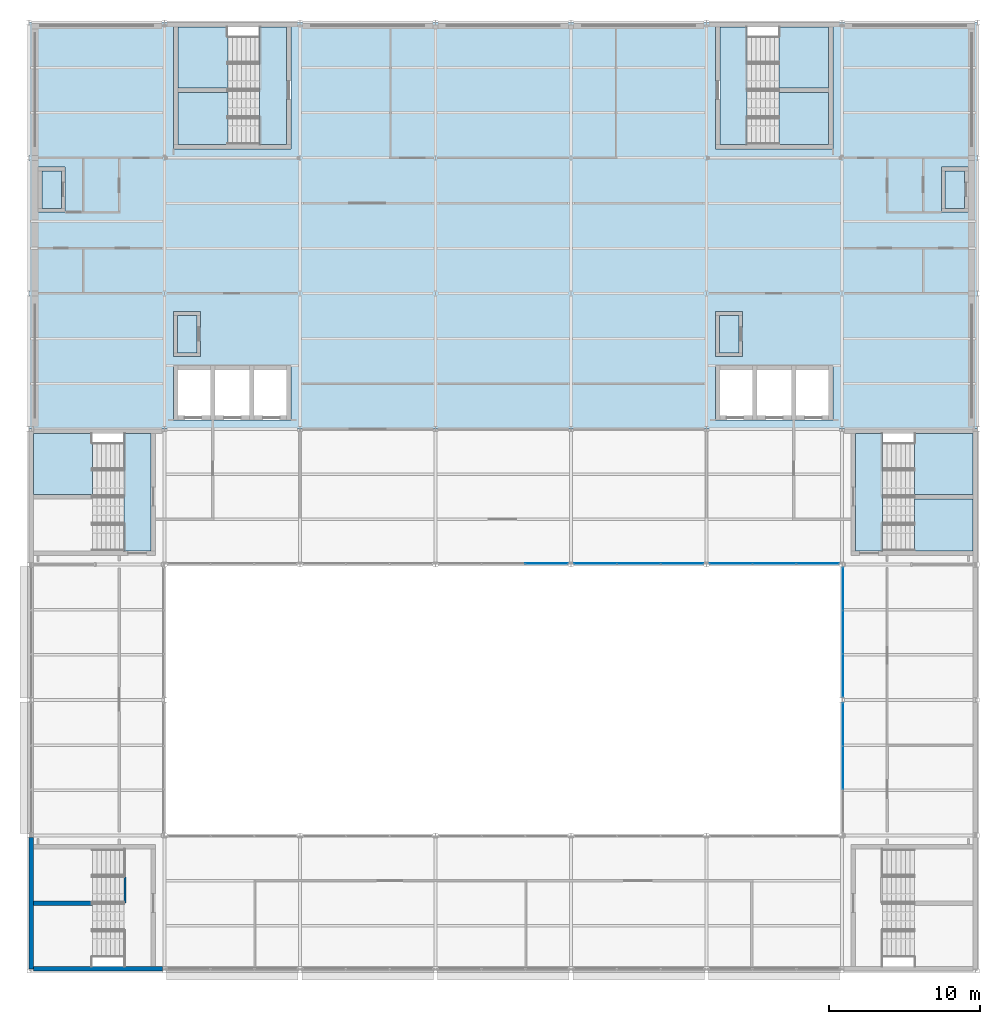
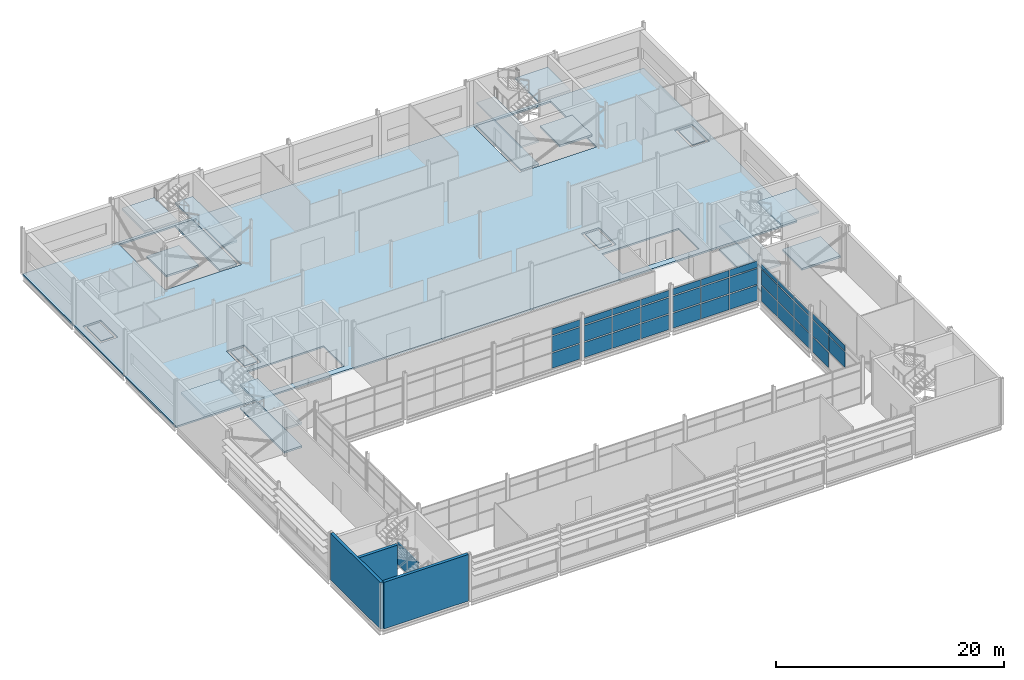
# One storey, part 47 of 61: 35 plates, 20 slabs, 4 walls, 9 elements without a shape of their own.
"""IFC4 building model written with IfcOpenShell, lengths in metres."""

from ifc_helpers import new_model, si_unit, direction, frame, frame_2d, origin, origin_2d, place, context, subcontext, project, spatial, polyline, rectangle, outline, extrude, material, layer, layer_set, type_object, element, aggregate, save


model = new_model("IFC4")

# Units and contexts
model_context = context("Model", 3, precision=1e-05, world=origin(), true_north=direction((0.0, 1.0)))
body_context = subcontext(model_context, "Body", "Model", "MODEL_VIEW")
ifc_project = project(units=[si_unit("LENGTHUNIT", "METRE"), si_unit("AREAUNIT", "SQUARE_METRE"), si_unit("VOLUMEUNIT", "CUBIC_METRE"), si_unit("PLANEANGLEUNIT", "RADIAN"), si_unit("MASSUNIT", "GRAM", prefix="KILO")], contexts=[model_context])

# Site, building, storey
site_placement = place(None, origin())
site = spatial("IfcSite", under=ifc_project, at=site_placement, CompositionType="ELEMENT")
building_placement = place(site_placement, origin())
building = spatial("IfcBuilding", under=site, at=building_placement, Name="Shorebreak Coast Museum", CompositionType="ELEMENT")
storey_placement = place(building_placement, frame((0.0, 0.0, 26.0)))
storey = spatial("IfcBuildingStorey", under=building, at=storey_placement, Name="L04", CompositionType="ELEMENT", Elevation=26.0)

# Curtain wall, plates
ifc_material_1 = material(Name="Aluminium", Category="aluminium")
ifc_layer_1 = layer(ifc_material_1, 0.1201171875)
ifc_layer_set_1 = layer_set([ifc_layer_1], Name="Aluminium")
curtain_wall_type = type_object("IfcCurtainWallType", Name="Atrium fire screen", PredefinedType="NOTDEFINED", material=ifc_layer_set_1)
curtain_wall_1_placement = place(storey_placement, origin())
curtain_wall_1 = element("IfcCurtainWall", 1, at=curtain_wall_1_placement, inside=storey, type_object=curtain_wall_type, Name="Atrium screen L04 N 56", PredefinedType="NOTDEFINED")
ifc_material_2 = material(Name="Glass", Category="glass")
ifc_layer_2 = layer(ifc_material_2, 0.034912109375)
ifc_layer_set_2 = layer_set([ifc_layer_2], Name="Glass")
plate_type = type_object("IfcPlateType", Name="Fire-resisting glass panel 35", PredefinedType="CURTAIN_PANEL", material=ifc_layer_set_2)
plate_1_placement = place(storey_placement, frame((88.38525390625, 81.06005859375, 0.119873046875), z_axis=(0.0, 0.0, 1.0), x_axis=(1.0, 0.0, 0.0)))
plate_1 = element("IfcPlate", 2, at=plate_1_placement, type_object=plate_type, Name="CW6 panel 3.1", PredefinedType="CURTAIN_PANEL", context=body_context, shape_type="SweptSolid", body=[
    extrude(rectangle(XDim=2.82275390625, YDim=0.034912109375, at=origin_2d()), origin(), (0.0, 0.0, 1.0), 1.6201171875),
])
plate_2_placement = place(storey_placement, frame((88.38525390625, 81.06005859375, 1.85986328125), z_axis=(0.0, 0.0, 1.0), x_axis=(1.0, 0.0, 0.0)))
plate_2 = element("IfcPlate", 3, at=plate_2_placement, type_object=plate_type, Name="CW6 panel 3.2", PredefinedType="CURTAIN_PANEL", context=body_context, shape_type="SweptSolid", body=[
    extrude(rectangle(XDim=2.82275390625, YDim=0.034912109375, at=origin_2d()), origin(), (0.0, 0.0, 1.0), 1.679931640625),
])
plate_3_placement = place(storey_placement, frame((88.38525390625, 81.06005859375, 3.659912109375), z_axis=(0.0, 0.0, 1.0), x_axis=(1.0, 0.0, 0.0)))
plate_3 = element("IfcPlate", 4, at=plate_3_placement, type_object=plate_type, Name="CW6 panel 3.3", PredefinedType="CURTAIN_PANEL", context=body_context, shape_type="SweptSolid", body=[
    extrude(rectangle(XDim=2.82275390625, YDim=0.034912109375, at=origin_2d()), origin(), (0.0, 0.0, 1.0), 0.689453125),
])
aggregate(curtain_wall_1, [plate_1, plate_2, plate_3])

curtain_wall_2_placement = place(storey_placement, origin())
curtain_wall_2 = element("IfcCurtainWall", 5, at=curtain_wall_2_placement, inside=storey, type_object=curtain_wall_type, Name="Atrium screen L04 N 57", PredefinedType="NOTDEFINED")
plate_4_placement = place(storey_placement, frame((91.61474609375, 81.06005859375, 0.119873046875), z_axis=(0.0, 0.0, 1.0), x_axis=(1.0, 0.0, 0.0)))
plate_4 = element("IfcPlate", 6, at=plate_4_placement, type_object=plate_type, Name="CW4 panel 1.1", PredefinedType="CURTAIN_PANEL", context=body_context, shape_type="SweptSolid", body=[
    extrude(rectangle(XDim=2.82275390625, YDim=0.034912109375, at=origin_2d()), origin(), (0.0, 0.0, 1.0), 1.6201171875),
])
plate_5_placement = place(storey_placement, frame((91.61474609375, 81.06005859375, 1.85986328125), z_axis=(0.0, 0.0, 1.0), x_axis=(1.0, 0.0, 0.0)))
plate_5 = element("IfcPlate", 7, at=plate_5_placement, type_object=plate_type, Name="CW4 panel 1.2", PredefinedType="CURTAIN_PANEL", context=body_context, shape_type="SweptSolid", body=[
    extrude(rectangle(XDim=2.82275390625, YDim=0.034912109375, at=origin_2d()), origin(), (0.0, 0.0, 1.0), 1.679931640625),
])
plate_6_placement = place(storey_placement, frame((91.61474609375, 81.06005859375, 3.659912109375), z_axis=(0.0, 0.0, 1.0), x_axis=(1.0, 0.0, 0.0)))
plate_6 = element("IfcPlate", 8, at=plate_6_placement, type_object=plate_type, Name="CW4 panel 1.3", PredefinedType="CURTAIN_PANEL", context=body_context, shape_type="SweptSolid", body=[
    extrude(rectangle(XDim=2.82275390625, YDim=0.034912109375, at=origin_2d()), origin(), (0.0, 0.0, 1.0), 0.689453125),
])
plate_7_placement = place(storey_placement, frame((94.5, 81.06005859375, 0.119873046875), z_axis=(0.0, 0.0, 1.0), x_axis=(1.0, 0.0, 0.0)))
plate_7 = element("IfcPlate", 9, at=plate_7_placement, type_object=plate_type, Name="CW4 panel 2.1", PredefinedType="CURTAIN_PANEL", context=body_context, shape_type="SweptSolid", body=[
    extrude(rectangle(XDim=2.84765625, YDim=0.034912109375, at=origin_2d()), origin(), (0.0, 0.0, 1.0), 1.6201171875),
])
plate_8_placement = place(storey_placement, frame((94.5, 81.06005859375, 1.85986328125), z_axis=(0.0, 0.0, 1.0), x_axis=(1.0, 0.0, 0.0)))
plate_8 = element("IfcPlate", 10, at=plate_8_placement, type_object=plate_type, Name="CW4 panel 2.2", PredefinedType="CURTAIN_PANEL", context=body_context, shape_type="SweptSolid", body=[
    extrude(rectangle(XDim=2.84765625, YDim=0.034912109375, at=origin_2d()), origin(), (0.0, 0.0, 1.0), 1.679931640625),
])
plate_9_placement = place(storey_placement, frame((94.5, 81.06005859375, 3.659912109375), z_axis=(0.0, 0.0, 1.0), x_axis=(1.0, 0.0, 0.0)))
plate_9 = element("IfcPlate", 11, at=plate_9_placement, type_object=plate_type, Name="CW4 panel 2.3", PredefinedType="CURTAIN_PANEL", context=body_context, shape_type="SweptSolid", body=[
    extrude(rectangle(XDim=2.84765625, YDim=0.034912109375, at=origin_2d()), origin(), (0.0, 0.0, 1.0), 0.689453125),
])
plate_10_placement = place(storey_placement, frame((97.38525390625, 81.06005859375, 0.119873046875), z_axis=(0.0, 0.0, 1.0), x_axis=(1.0, 0.0, 0.0)))
plate_10 = element("IfcPlate", 12, at=plate_10_placement, type_object=plate_type, Name="CW4 panel 3.1", PredefinedType="CURTAIN_PANEL", context=body_context, shape_type="SweptSolid", body=[
    extrude(rectangle(XDim=2.82275390625, YDim=0.034912109375, at=origin_2d()), origin(), (0.0, 0.0, 1.0), 1.6201171875),
])
plate_11_placement = place(storey_placement, frame((97.38525390625, 81.06005859375, 1.85986328125), z_axis=(0.0, 0.0, 1.0), x_axis=(1.0, 0.0, 0.0)))
plate_11 = element("IfcPlate", 13, at=plate_11_placement, type_object=plate_type, Name="CW4 panel 3.2", PredefinedType="CURTAIN_PANEL", context=body_context, shape_type="SweptSolid", body=[
    extrude(rectangle(XDim=2.82275390625, YDim=0.034912109375, at=origin_2d()), origin(), (0.0, 0.0, 1.0), 1.679931640625),
])
plate_12_placement = place(storey_placement, frame((97.38525390625, 81.06005859375, 3.659912109375), z_axis=(0.0, 0.0, 1.0), x_axis=(1.0, 0.0, 0.0)))
plate_12 = element("IfcPlate", 14, at=plate_12_placement, type_object=plate_type, Name="CW4 panel 3.3", PredefinedType="CURTAIN_PANEL", context=body_context, shape_type="SweptSolid", body=[
    extrude(rectangle(XDim=2.82275390625, YDim=0.034912109375, at=origin_2d()), origin(), (0.0, 0.0, 1.0), 0.689453125),
])
aggregate(curtain_wall_2, [plate_4, plate_5, plate_6, plate_7, plate_8, plate_9, plate_10, plate_11, plate_12])

curtain_wall_3_placement = place(storey_placement, origin())
curtain_wall_3 = element("IfcCurtainWall", 15, at=curtain_wall_3_placement, inside=storey, type_object=curtain_wall_type, Name="Atrium screen L04 N 58", PredefinedType="NOTDEFINED")
plate_13_placement = place(storey_placement, frame((100.61474609375, 81.06005859375, 0.119873046875), z_axis=(0.0, 0.0, 1.0), x_axis=(1.0, 0.0, 0.0)))
plate_13 = element("IfcPlate", 16, at=plate_13_placement, type_object=plate_type, Name="CW5 panel 1.1", PredefinedType="CURTAIN_PANEL", context=body_context, shape_type="SweptSolid", body=[
    extrude(rectangle(XDim=2.82275390625, YDim=0.034912109375, at=origin_2d()), origin(), (0.0, 0.0, 1.0), 1.6201171875),
])
plate_14_placement = place(storey_placement, frame((100.61474609375, 81.06005859375, 1.85986328125), z_axis=(0.0, 0.0, 1.0), x_axis=(1.0, 0.0, 0.0)))
plate_14 = element("IfcPlate", 17, at=plate_14_placement, type_object=plate_type, Name="CW5 panel 1.2", PredefinedType="CURTAIN_PANEL", context=body_context, shape_type="SweptSolid", body=[
    extrude(rectangle(XDim=2.82275390625, YDim=0.034912109375, at=origin_2d()), origin(), (0.0, 0.0, 1.0), 1.679931640625),
])
plate_15_placement = place(storey_placement, frame((100.61474609375, 81.06005859375, 3.659912109375), z_axis=(0.0, 0.0, 1.0), x_axis=(1.0, 0.0, 0.0)))
plate_15 = element("IfcPlate", 18, at=plate_15_placement, type_object=plate_type, Name="CW5 panel 1.3", PredefinedType="CURTAIN_PANEL", context=body_context, shape_type="SweptSolid", body=[
    extrude(rectangle(XDim=2.82275390625, YDim=0.034912109375, at=origin_2d()), origin(), (0.0, 0.0, 1.0), 0.689453125),
])
plate_16_placement = place(storey_placement, frame((103.5, 81.06005859375, 0.119873046875), z_axis=(0.0, 0.0, 1.0), x_axis=(1.0, 0.0, 0.0)))
plate_16 = element("IfcPlate", 19, at=plate_16_placement, type_object=plate_type, Name="CW5 panel 2.1", PredefinedType="CURTAIN_PANEL", context=body_context, shape_type="SweptSolid", body=[
    extrude(rectangle(XDim=2.84765625, YDim=0.034912109375, at=origin_2d()), origin(), (0.0, 0.0, 1.0), 1.6201171875),
])
plate_17_placement = place(storey_placement, frame((103.5, 81.06005859375, 1.85986328125), z_axis=(0.0, 0.0, 1.0), x_axis=(1.0, 0.0, 0.0)))
plate_17 = element("IfcPlate", 20, at=plate_17_placement, type_object=plate_type, Name="CW5 panel 2.2", PredefinedType="CURTAIN_PANEL", context=body_context, shape_type="SweptSolid", body=[
    extrude(rectangle(XDim=2.84765625, YDim=0.034912109375, at=origin_2d()), origin(), (0.0, 0.0, 1.0), 1.679931640625),
])
plate_18_placement = place(storey_placement, frame((103.5, 81.06005859375, 3.659912109375), z_axis=(0.0, 0.0, 1.0), x_axis=(1.0, 0.0, 0.0)))
plate_18 = element("IfcPlate", 21, at=plate_18_placement, type_object=plate_type, Name="CW5 panel 2.3", PredefinedType="CURTAIN_PANEL", context=body_context, shape_type="SweptSolid", body=[
    extrude(rectangle(XDim=2.84765625, YDim=0.034912109375, at=origin_2d()), origin(), (0.0, 0.0, 1.0), 0.689453125),
])
plate_19_placement = place(storey_placement, frame((106.38525390625, 81.06005859375, 0.119873046875), z_axis=(0.0, 0.0, 1.0), x_axis=(1.0, 0.0, 0.0)))
plate_19 = element("IfcPlate", 22, at=plate_19_placement, type_object=plate_type, Name="CW5 panel 3.1", PredefinedType="CURTAIN_PANEL", context=body_context, shape_type="SweptSolid", body=[
    extrude(rectangle(XDim=2.82275390625, YDim=0.034912109375, at=origin_2d()), origin(), (0.0, 0.0, 1.0), 1.6201171875),
])
plate_20_placement = place(storey_placement, frame((106.38525390625, 81.06005859375, 1.85986328125), z_axis=(0.0, 0.0, 1.0), x_axis=(1.0, 0.0, 0.0)))
plate_20 = element("IfcPlate", 23, at=plate_20_placement, type_object=plate_type, Name="CW5 panel 3.2", PredefinedType="CURTAIN_PANEL", context=body_context, shape_type="SweptSolid", body=[
    extrude(rectangle(XDim=2.82275390625, YDim=0.034912109375, at=origin_2d()), origin(), (0.0, 0.0, 1.0), 1.679931640625),
])
plate_21_placement = place(storey_placement, frame((106.38525390625, 81.06005859375, 3.659912109375), z_axis=(0.0, 0.0, 1.0), x_axis=(1.0, 0.0, 0.0)))
plate_21 = element("IfcPlate", 24, at=plate_21_placement, type_object=plate_type, Name="CW5 panel 3.3", PredefinedType="CURTAIN_PANEL", context=body_context, shape_type="SweptSolid", body=[
    extrude(rectangle(XDim=2.82275390625, YDim=0.034912109375, at=origin_2d()), origin(), (0.0, 0.0, 1.0), 0.689453125),
])
aggregate(curtain_wall_3, [plate_13, plate_14, plate_15, plate_16, plate_17, plate_18, plate_19, plate_20, plate_21])

curtain_wall_4_placement = place(storey_placement, origin())
curtain_wall_4 = element("IfcCurtainWall", 25, at=curtain_wall_4_placement, inside=storey, type_object=curtain_wall_type, Name="Atrium screen L04 E 61", PredefinedType="NOTDEFINED")
plate_22_placement = place(storey_placement, frame((108.06005859375, 67.5, 1.85986328125), z_axis=(0.0, 0.0, 1.0), x_axis=(0.0, 1.0, 0.0)))
plate_22 = element("IfcPlate", 26, at=plate_22_placement, type_object=plate_type, Name="CW5 panel 2.2", PredefinedType="CURTAIN_PANEL", context=body_context, shape_type="SweptSolid", body=[
    extrude(rectangle(XDim=2.84521484375, YDim=0.034912109375, at=origin_2d()), origin(), (0.0, 0.0, 1.0), 1.679931640625),
])
plate_23_placement = place(storey_placement, frame((108.06005859375, 67.5, 3.66015625), z_axis=(0.0, 0.0, 1.0), x_axis=(0.0, 1.0, 0.0)))
plate_23 = element("IfcPlate", 27, at=plate_23_placement, type_object=plate_type, Name="CW5 panel 2.3", PredefinedType="CURTAIN_PANEL", context=body_context, shape_type="SweptSolid", body=[
    extrude(rectangle(XDim=2.84521484375, YDim=0.034912109375, at=origin_2d()), origin(), (0.0, 0.0, 1.0), 0.584716796875),
])
plate_24_placement = place(storey_placement, frame((108.06005859375, 70.382568359375, 0.119873046875), z_axis=(0.0, 0.0, 1.0), x_axis=(0.0, 1.0, 0.0)))
plate_24 = element("IfcPlate", 28, at=plate_24_placement, type_object=plate_type, Name="CW5 panel 3.1", PredefinedType="CURTAIN_PANEL", context=body_context, shape_type="SweptSolid", body=[
    extrude(rectangle(XDim=2.820068359375, YDim=0.034912109375, at=origin_2d()), origin(), (0.0, 0.0, 1.0), 1.6201171875),
])
plate_25_placement = place(storey_placement, frame((108.06005859375, 70.382568359375, 1.85986328125), z_axis=(0.0, 0.0, 1.0), x_axis=(0.0, 1.0, 0.0)))
plate_25 = element("IfcPlate", 29, at=plate_25_placement, type_object=plate_type, Name="CW5 panel 3.2", PredefinedType="CURTAIN_PANEL", context=body_context, shape_type="SweptSolid", body=[
    extrude(rectangle(XDim=2.820068359375, YDim=0.034912109375, at=origin_2d()), origin(), (0.0, 0.0, 1.0), 1.679931640625),
])
plate_26_placement = place(storey_placement, frame((108.06005859375, 70.382568359375, 3.66015625), z_axis=(0.0, 0.0, 1.0), x_axis=(0.0, 1.0, 0.0)))
plate_26 = element("IfcPlate", 30, at=plate_26_placement, type_object=plate_type, Name="CW5 panel 3.3", PredefinedType="CURTAIN_PANEL", context=body_context, shape_type="SweptSolid", body=[
    extrude(rectangle(XDim=2.820068359375, YDim=0.034912109375, at=origin_2d()), origin(), (0.0, 0.0, 1.0), 0.584716796875),
])
aggregate(curtain_wall_4, [plate_22, plate_23, plate_24, plate_25, plate_26])

curtain_wall_5_placement = place(storey_placement, origin())
curtain_wall_5 = element("IfcCurtainWall", 31, at=curtain_wall_5_placement, inside=storey, type_object=curtain_wall_type, Name="Atrium screen L04 E 62", PredefinedType="NOTDEFINED")
plate_27_placement = place(storey_placement, frame((108.06005859375, 73.617431640625, 0.119873046875), z_axis=(0.0, 0.0, 1.0), x_axis=(0.0, 1.0, 0.0)))
plate_27 = element("IfcPlate", 32, at=plate_27_placement, type_object=plate_type, Name="CW6 panel 1.1", PredefinedType="CURTAIN_PANEL", context=body_context, shape_type="SweptSolid", body=[
    extrude(rectangle(XDim=2.820068359375, YDim=0.034912109375, at=origin_2d()), origin(), (0.0, 0.0, 1.0), 1.6201171875),
])
plate_28_placement = place(storey_placement, frame((108.06005859375, 73.617431640625, 1.85986328125), z_axis=(0.0, 0.0, 1.0), x_axis=(0.0, 1.0, 0.0)))
plate_28 = element("IfcPlate", 33, at=plate_28_placement, type_object=plate_type, Name="CW6 panel 1.2", PredefinedType="CURTAIN_PANEL", context=body_context, shape_type="SweptSolid", body=[
    extrude(rectangle(XDim=2.820068359375, YDim=0.034912109375, at=origin_2d()), origin(), (0.0, 0.0, 1.0), 1.679931640625),
])
plate_29_placement = place(storey_placement, frame((108.06005859375, 73.617431640625, 3.659912109375), z_axis=(0.0, 0.0, 1.0), x_axis=(0.0, 1.0, 0.0)))
plate_29 = element("IfcPlate", 34, at=plate_29_placement, type_object=plate_type, Name="CW6 panel 1.3", PredefinedType="CURTAIN_PANEL", context=body_context, shape_type="SweptSolid", body=[
    extrude(rectangle(XDim=2.820068359375, YDim=0.034912109375, at=origin_2d()), origin(), (0.0, 0.0, 1.0), 0.43310546875),
])
plate_30_placement = place(storey_placement, frame((108.06005859375, 76.5, 0.119873046875), z_axis=(0.0, 0.0, 1.0), x_axis=(0.0, 1.0, 0.0)))
plate_30 = element("IfcPlate", 35, at=plate_30_placement, type_object=plate_type, Name="CW6 panel 2.1", PredefinedType="CURTAIN_PANEL", context=body_context, shape_type="SweptSolid", body=[
    extrude(rectangle(XDim=2.84521484375, YDim=0.034912109375, at=origin_2d()), origin(), (0.0, 0.0, 1.0), 1.6201171875),
])
plate_31_placement = place(storey_placement, frame((108.06005859375, 76.5, 1.85986328125), z_axis=(0.0, 0.0, 1.0), x_axis=(0.0, 1.0, 0.0)))
plate_31 = element("IfcPlate", 36, at=plate_31_placement, type_object=plate_type, Name="CW6 panel 2.2", PredefinedType="CURTAIN_PANEL", context=body_context, shape_type="SweptSolid", body=[
    extrude(rectangle(XDim=2.84521484375, YDim=0.034912109375, at=origin_2d()), origin(), (0.0, 0.0, 1.0), 1.679931640625),
])
plate_32_placement = place(storey_placement, frame((108.06005859375, 76.5, 3.659912109375), z_axis=(0.0, 0.0, 1.0), x_axis=(0.0, 1.0, 0.0)))
plate_32 = element("IfcPlate", 37, at=plate_32_placement, type_object=plate_type, Name="CW6 panel 2.3", PredefinedType="CURTAIN_PANEL", context=body_context, shape_type="SweptSolid", body=[
    extrude(rectangle(XDim=2.84521484375, YDim=0.034912109375, at=origin_2d()), origin(), (0.0, 0.0, 1.0), 0.43310546875),
])
plate_33_placement = place(storey_placement, frame((108.06005859375, 79.382568359375, 0.119873046875), z_axis=(0.0, 0.0, 1.0), x_axis=(0.0, 1.0, 0.0)))
plate_33 = element("IfcPlate", 38, at=plate_33_placement, type_object=plate_type, Name="CW6 panel 3.1", PredefinedType="CURTAIN_PANEL", context=body_context, shape_type="SweptSolid", body=[
    extrude(rectangle(XDim=2.820068359375, YDim=0.034912109375, at=origin_2d()), origin(), (0.0, 0.0, 1.0), 1.6201171875),
])
plate_34_placement = place(storey_placement, frame((108.06005859375, 79.382568359375, 1.85986328125), z_axis=(0.0, 0.0, 1.0), x_axis=(0.0, 1.0, 0.0)))
plate_34 = element("IfcPlate", 39, at=plate_34_placement, type_object=plate_type, Name="CW6 panel 3.2", PredefinedType="CURTAIN_PANEL", context=body_context, shape_type="SweptSolid", body=[
    extrude(rectangle(XDim=2.820068359375, YDim=0.034912109375, at=origin_2d()), origin(), (0.0, 0.0, 1.0), 1.679931640625),
])
plate_35_placement = place(storey_placement, frame((108.06005859375, 79.382568359375, 3.659912109375), z_axis=(0.0, 0.0, 1.0), x_axis=(0.0, 1.0, 0.0)))
plate_35 = element("IfcPlate", 40, at=plate_35_placement, type_object=plate_type, Name="CW6 panel 3.3", PredefinedType="CURTAIN_PANEL", context=body_context, shape_type="SweptSolid", body=[
    extrude(rectangle(XDim=2.820068359375, YDim=0.034912109375, at=origin_2d()), origin(), (0.0, 0.0, 1.0), 0.43310546875),
])
aggregate(curtain_wall_5, [plate_27, plate_28, plate_29, plate_30, plate_31, plate_32, plate_33, plate_34, plate_35])

# Slabs
ifc_material_3 = material(Name="Concrete N40 (40 MPa)", Category="concrete")
ifc_layer_3 = layer(ifc_material_3, 0.175048828125)
ifc_layer_set_3 = layer_set([ifc_layer_3], Name="Concrete N40 (40 MPa)")
slab_type_1 = type_object("IfcSlabType", Name="Floor slab 175 concrete N40", PredefinedType="FLOOR", material=ifc_layer_set_3)
slab_1_placement = place(storey_placement, frame((0.0, 0.0, -0.175048828125)))
element("IfcSlab", 41, at=slab_1_placement, inside=storey, type_object=slab_type_1, Name="Floor slab L04 north arm", PredefinedType="FLOOR", context=body_context, shape_type="SweptSolid", body=[
    extrude(outline(polyline([(117.0, 90.0), (117.0, 117.0), (54.0, 117.0), (54.0, 90.0), (117.0, 90.0)]), holes=[polyline([(107.39990234375, 90.60009765625), (99.60009765625, 90.60009765625), (99.60009765625, 94.199951171875), (107.39990234375, 94.199951171875), (107.39990234375, 90.60009765625)]), polyline([(63.60009765625, 90.60009765625), (63.60009765625, 94.199951171875), (71.39990234375, 94.199951171875), (71.39990234375, 90.60009765625), (63.60009765625, 90.60009765625)]), polyline([(99.60009765625, 97.800048828125), (101.39990234375, 97.800048828125), (101.39990234375, 94.800048828125), (99.60009765625, 94.800048828125), (99.60009765625, 97.800048828125)]), polyline([(65.39990234375, 97.800048828125), (65.39990234375, 94.800048828125), (63.60009765625, 94.800048828125), (63.60009765625, 97.800048828125), (65.39990234375, 97.800048828125)]), polyline([(56.39990234375, 104.39990234375), (54.60009765625, 104.39990234375), (54.60009765625, 107.39990234375), (56.39990234375, 107.39990234375), (56.39990234375, 104.39990234375)]), polyline([(114.60009765625, 104.39990234375), (114.60009765625, 107.39990234375), (116.39990234375, 107.39990234375), (116.39990234375, 104.39990234375), (114.60009765625, 104.39990234375)]), polyline([(63.60009765625, 116.699951171875), (71.39990234375, 116.699951171875), (71.39990234375, 108.60009765625), (63.60009765625, 108.60009765625), (63.60009765625, 116.699951171875)]), polyline([(107.39990234375, 116.699951171875), (107.39990234375, 108.60009765625), (99.60009765625, 108.60009765625), (99.60009765625, 116.699951171875), (107.39990234375, 116.699951171875)])]), origin(), (0.0, 0.0, 1.0), 0.175048828125),
])
ifc_material_4 = material(Name="Concrete N40 (40 MPa)", Category="concrete")
ifc_layer_4 = layer(ifc_material_4, 0.10009765625)
ifc_layer_set_4 = layer_set([ifc_layer_4], Name="Concrete N40 (40 MPa)")
slab_type_2 = type_object("IfcSlabType", Name="Riser platform 100", PredefinedType="USERDEFINED", material=ifc_layer_set_4)
slab_2_placement = place(storey_placement, frame((0.0, 0.0, -0.10009765625)))
element("IfcSlab", 42, at=slab_2_placement, inside=storey, type_object=slab_type_2, Name="Riser platform R-WC-N1 L04", ObjectType="RISER PLATFORM", PredefinedType="USERDEFINED", context=body_context, shape_type="SweptSolid", body=[
    extrude(outline(polyline([(54.85009765625, 104.64990234375), (56.14990234375, 104.64990234375), (56.14990234375, 107.14990234375), (54.85009765625, 107.14990234375), (54.85009765625, 104.64990234375)])), origin(), (0.0, 0.0, 1.0), 0.10009765625),
])
slab_3_placement = place(storey_placement, frame((0.0, 0.0, -0.10009765625)))
element("IfcSlab", 43, at=slab_3_placement, inside=storey, type_object=slab_type_2, Name="Riser platform R-WC-N2 L04", ObjectType="RISER PLATFORM", PredefinedType="USERDEFINED", context=body_context, shape_type="SweptSolid", body=[
    extrude(outline(polyline([(114.85009765625, 104.64990234375), (116.14990234375, 104.64990234375), (116.14990234375, 107.14990234375), (114.85009765625, 107.14990234375), (114.85009765625, 104.64990234375)])), origin(), (0.0, 0.0, 1.0), 0.10009765625),
])
slab_4_placement = place(storey_placement, frame((0.0, 0.0, -0.10009765625)))
element("IfcSlab", 44, at=slab_4_placement, inside=storey, type_object=slab_type_2, Name="Riser platform R-LBW L04", ObjectType="RISER PLATFORM", PredefinedType="USERDEFINED", context=body_context, shape_type="SweptSolid", body=[
    extrude(outline(polyline([(63.85009765625, 95.050048828125), (65.14990234375, 95.050048828125), (65.14990234375, 97.550048828125), (63.85009765625, 97.550048828125), (63.85009765625, 95.050048828125)])), origin(), (0.0, 0.0, 1.0), 0.10009765625),
])
slab_5_placement = place(storey_placement, frame((0.0, 0.0, -0.10009765625)))
element("IfcSlab", 45, at=slab_5_placement, inside=storey, type_object=slab_type_2, Name="Riser platform R-LBE L04", ObjectType="RISER PLATFORM", PredefinedType="USERDEFINED", context=body_context, shape_type="SweptSolid", body=[
    extrude(outline(polyline([(99.85009765625, 95.050048828125), (101.14990234375, 95.050048828125), (101.14990234375, 97.550048828125), (99.85009765625, 97.550048828125), (99.85009765625, 95.050048828125)])), origin(), (0.0, 0.0, 1.0), 0.10009765625),
])

# Stair, slabs
ifc_material_5 = material(Name="Concrete N40 (40 MPa)", Category="concrete")
stair_type = type_object("IfcStairType", Name="Stair run 5 m", PredefinedType="DOUBLE_RETURN_STAIR", material=ifc_material_5)
stair_1_placement = place(storey_placement, origin())
stair_1 = element("IfcStair", 46, at=stair_1_placement, inside=storey, type_object=stair_type, Name="Exit stair ST03-L04", PredefinedType="DOUBLE_RETURN_STAIR")
ifc_material_6 = material(Name="Concrete N40 (40 MPa)", Category="concrete")
ifc_layer_5 = layer(ifc_material_6, 0.199951171875)
ifc_layer_set_5 = layer_set([ifc_layer_5], Name="Concrete N40 (40 MPa)")
slab_type_3 = type_object("IfcSlabType", Name="Stair landing 200", PredefinedType="LANDING", material=ifc_layer_set_5)
slab_6_placement = place(storey_placement, frame((0.0, 0.0, -0.199951171875)))
slab_6 = element("IfcSlab", 47, at=slab_6_placement, type_object=slab_type_3, Name="ST03-L04 landing 1", PredefinedType="LANDING", context=body_context, shape_type="SweptSolid", body=[
    extrude(outline(polyline([(60.300048828125, 81.89990234375), (62.10009765625, 81.89990234375), (62.10009765625, 89.699951171875), (60.300048828125, 89.699951171875), (60.300048828125, 81.89990234375)])), origin(), (0.0, 0.0, 1.0), 0.199951171875),
])
slab_7_placement = place(storey_placement, frame((0.0, 0.0, 2.300048828125)))
slab_7 = element("IfcSlab", 48, at=slab_7_placement, type_object=slab_type_3, Name="ST03-L04 landing 2", PredefinedType="LANDING", context=body_context, shape_type="SweptSolid", body=[
    extrude(outline(polyline([(60.300048828125, 81.89990234375), (62.10009765625, 81.89990234375), (62.10009765625, 89.699951171875), (60.300048828125, 89.699951171875), (60.300048828125, 81.89990234375)])), origin(), (0.0, 0.0, 1.0), 0.199951171875),
])
slab_8_placement = place(storey_placement, frame((0.0, 0.0, 3.550048828125)))
slab_8 = element("IfcSlab", 49, at=slab_8_placement, type_object=slab_type_3, Name="ST03-L04 landing 4", PredefinedType="LANDING", context=body_context, shape_type="SweptSolid", body=[
    extrude(outline(polyline([(54.300048828125, 85.64990234375), (58.199951171875, 85.64990234375), (58.199951171875, 89.699951171875), (54.300048828125, 89.699951171875), (54.300048828125, 85.64990234375)])), origin(), (0.0, 0.0, 1.0), 0.199951171875),
])
aggregate(stair_1, [slab_6, slab_7, slab_8])

stair_2_placement = place(storey_placement, origin())
stair_2 = element("IfcStair", 50, at=stair_2_placement, inside=storey, type_object=stair_type, Name="Exit stair ST04-L04", PredefinedType="DOUBLE_RETURN_STAIR")
slab_9_placement = place(storey_placement, frame((0.0, 0.0, -0.199951171875)))
slab_9 = element("IfcSlab", 51, at=slab_9_placement, type_object=slab_type_3, Name="ST04-L04 landing 1", PredefinedType="LANDING", context=body_context, shape_type="SweptSolid", body=[
    extrude(outline(polyline([(108.89990234375, 81.89990234375), (110.699951171875, 81.89990234375), (110.699951171875, 89.699951171875), (108.89990234375, 89.699951171875), (108.89990234375, 81.89990234375)])), origin(), (0.0, 0.0, 1.0), 0.199951171875),
])
slab_10_placement = place(storey_placement, frame((0.0, 0.0, 2.300048828125)))
slab_10 = element("IfcSlab", 52, at=slab_10_placement, type_object=slab_type_3, Name="ST04-L04 landing 2", PredefinedType="LANDING", context=body_context, shape_type="SweptSolid", body=[
    extrude(outline(polyline([(108.89990234375, 81.89990234375), (110.699951171875, 81.89990234375), (110.699951171875, 89.699951171875), (108.89990234375, 89.699951171875), (108.89990234375, 81.89990234375)])), origin(), (0.0, 0.0, 1.0), 0.199951171875),
])
slab_11_placement = place(storey_placement, frame((0.0, 0.0, 1.050048828125)))
slab_11 = element("IfcSlab", 53, at=slab_11_placement, type_object=slab_type_3, Name="ST04-L04 landing 3", PredefinedType="LANDING", context=body_context, shape_type="SweptSolid", body=[
    extrude(outline(polyline([(112.800048828125, 81.89990234375), (116.699951171875, 81.89990234375), (116.699951171875, 85.35009765625), (112.800048828125, 85.35009765625), (112.800048828125, 81.89990234375)])), origin(), (0.0, 0.0, 1.0), 0.199951171875),
])
slab_12_placement = place(storey_placement, frame((0.0, 0.0, 3.550048828125)))
slab_12 = element("IfcSlab", 54, at=slab_12_placement, type_object=slab_type_3, Name="ST04-L04 landing 4", PredefinedType="LANDING", context=body_context, shape_type="SweptSolid", body=[
    extrude(outline(polyline([(112.800048828125, 85.64990234375), (116.699951171875, 85.64990234375), (116.699951171875, 89.699951171875), (112.800048828125, 89.699951171875), (112.800048828125, 85.64990234375)])), origin(), (0.0, 0.0, 1.0), 0.199951171875),
])
aggregate(stair_2, [slab_9, slab_10, slab_11, slab_12])

stair_3_placement = place(storey_placement, origin())
stair_3 = element("IfcStair", 55, at=stair_3_placement, inside=storey, type_object=stair_type, Name="Exit stair ST09-L04", PredefinedType="DOUBLE_RETURN_STAIR")
slab_13_placement = place(storey_placement, frame((0.0, 0.0, -0.199951171875)))
slab_13 = element("IfcSlab", 56, at=slab_13_placement, type_object=slab_type_3, Name="ST09-L04 landing 1", PredefinedType="LANDING", context=body_context, shape_type="SweptSolid", body=[
    extrude(outline(polyline([(69.300048828125, 108.89990234375), (71.10009765625, 108.89990234375), (71.10009765625, 116.699951171875), (69.300048828125, 116.699951171875), (69.300048828125, 108.89990234375)])), origin(), (0.0, 0.0, 1.0), 0.199951171875),
])
slab_14_placement = place(storey_placement, frame((0.0, 0.0, 2.300048828125)))
slab_14 = element("IfcSlab", 57, at=slab_14_placement, type_object=slab_type_3, Name="ST09-L04 landing 2", PredefinedType="LANDING", context=body_context, shape_type="SweptSolid", body=[
    extrude(outline(polyline([(69.300048828125, 108.89990234375), (71.10009765625, 108.89990234375), (71.10009765625, 116.699951171875), (69.300048828125, 116.699951171875), (69.300048828125, 108.89990234375)])), origin(), (0.0, 0.0, 1.0), 0.199951171875),
])
slab_15_placement = place(storey_placement, frame((0.0, 0.0, 1.050048828125)))
slab_15 = element("IfcSlab", 58, at=slab_15_placement, type_object=slab_type_3, Name="ST09-L04 landing 3", PredefinedType="LANDING", context=body_context, shape_type="SweptSolid", body=[
    extrude(outline(polyline([(63.89990234375, 108.89990234375), (67.199951171875, 108.89990234375), (67.199951171875, 112.35009765625), (63.89990234375, 112.35009765625), (63.89990234375, 108.89990234375)])), origin(), (0.0, 0.0, 1.0), 0.199951171875),
])
slab_16_placement = place(storey_placement, frame((0.0, 0.0, 3.550048828125)))
slab_16 = element("IfcSlab", 59, at=slab_16_placement, type_object=slab_type_3, Name="ST09-L04 landing 4", PredefinedType="LANDING", context=body_context, shape_type="SweptSolid", body=[
    extrude(outline(polyline([(63.89990234375, 112.64990234375), (67.199951171875, 112.64990234375), (67.199951171875, 116.699951171875), (63.89990234375, 116.699951171875), (63.89990234375, 112.64990234375)])), origin(), (0.0, 0.0, 1.0), 0.199951171875),
])
aggregate(stair_3, [slab_13, slab_14, slab_15, slab_16])

stair_4_placement = place(storey_placement, origin())
stair_4 = element("IfcStair", 60, at=stair_4_placement, inside=storey, type_object=stair_type, Name="Exit stair ST10-L04", PredefinedType="DOUBLE_RETURN_STAIR")
slab_17_placement = place(storey_placement, frame((0.0, 0.0, -0.199951171875)))
slab_17 = element("IfcSlab", 61, at=slab_17_placement, type_object=slab_type_3, Name="ST10-L04 landing 1", PredefinedType="LANDING", context=body_context, shape_type="SweptSolid", body=[
    extrude(outline(polyline([(99.89990234375, 108.89990234375), (101.699951171875, 108.89990234375), (101.699951171875, 116.699951171875), (99.89990234375, 116.699951171875), (99.89990234375, 108.89990234375)])), origin(), (0.0, 0.0, 1.0), 0.199951171875),
])
slab_18_placement = place(storey_placement, frame((0.0, 0.0, 2.300048828125)))
slab_18 = element("IfcSlab", 62, at=slab_18_placement, type_object=slab_type_3, Name="ST10-L04 landing 2", PredefinedType="LANDING", context=body_context, shape_type="SweptSolid", body=[
    extrude(outline(polyline([(99.89990234375, 108.89990234375), (101.699951171875, 108.89990234375), (101.699951171875, 116.699951171875), (99.89990234375, 116.699951171875), (99.89990234375, 108.89990234375)])), origin(), (0.0, 0.0, 1.0), 0.199951171875),
])
slab_19_placement = place(storey_placement, frame((0.0, 0.0, 1.050048828125)))
slab_19 = element("IfcSlab", 63, at=slab_19_placement, type_object=slab_type_3, Name="ST10-L04 landing 3", PredefinedType="LANDING", context=body_context, shape_type="SweptSolid", body=[
    extrude(outline(polyline([(103.800048828125, 108.89990234375), (107.10009765625, 108.89990234375), (107.10009765625, 112.35009765625), (103.800048828125, 112.35009765625), (103.800048828125, 108.89990234375)])), origin(), (0.0, 0.0, 1.0), 0.199951171875),
])
slab_20_placement = place(storey_placement, frame((0.0, 0.0, 3.550048828125)))
slab_20 = element("IfcSlab", 64, at=slab_20_placement, type_object=slab_type_3, Name="ST10-L04 landing 4", PredefinedType="LANDING", context=body_context, shape_type="SweptSolid", body=[
    extrude(outline(polyline([(103.800048828125, 112.64990234375), (107.10009765625, 112.64990234375), (107.10009765625, 116.699951171875), (103.800048828125, 116.699951171875), (103.800048828125, 112.64990234375)])), origin(), (0.0, 0.0, 1.0), 0.199951171875),
])
aggregate(stair_4, [slab_17, slab_18, slab_19, slab_20])

# Walls
ifc_material_7 = material(Name="Concrete N50 (50 MPa)", Category="concrete")
ifc_layer_6 = layer(ifc_material_7, 0.300048828125)
ifc_layer_set_6 = layer_set([ifc_layer_6], Name="Concrete N50 (50 MPa)")
wall_type_1 = type_object("IfcWallType", Name="RC wall 300", PredefinedType="SHEAR", material=ifc_layer_set_6)
wall_1_placement = place(storey_placement, frame((54.300048828125, 54.14990234375, 0.0), z_axis=(0.0, 0.0, 1.0), x_axis=(1.0, 0.0, 0.0)))
element("IfcWall", 65, at=wall_1_placement, inside=storey, type_object=wall_type_1, Name="Stair core wall ST01 L04 S", PredefinedType="SHEAR", context=body_context, shape_type="SweptSolid", body=[
    extrude(rectangle(XDim=8.574951171875, YDim=0.300048828125, at=frame_2d((4.28759765625, 0.0))), origin(), (0.0, 0.0, 1.0), 5.0),
])
wall_2_placement = place(storey_placement, frame((54.14990234375, 54.125, 0.0), z_axis=(0.0, 0.0, 1.0), x_axis=(0.0, 1.0, 0.0)))
element("IfcWall", 66, at=wall_2_placement, inside=storey, type_object=wall_type_1, Name="Stair core wall ST01 L04 W", PredefinedType="SHEAR", context=body_context, shape_type="SweptSolid", body=[
    extrude(rectangle(XDim=8.75, YDim=0.300048828125, at=frame_2d((4.375, 0.0))), origin(), (0.0, 0.0, 1.0), 5.0),
])
wall_3_placement = place(storey_placement, frame((58.199951171875, 58.5, 0.0), z_axis=(0.0, 0.0, 1.0), x_axis=(-1.0, 0.0, 0.0)))
element("IfcWall", 67, at=wall_3_placement, inside=storey, type_object=wall_type_1, Name="Stair spine wall ST01 L04", PredefinedType="SHEAR", context=body_context, shape_type="SweptSolid", body=[
    extrude(rectangle(XDim=3.89990234375, YDim=0.300048828125, at=frame_2d((1.949951171875, 0.0))), origin(), (0.0, 0.0, 1.0), 5.0),
])
ifc_material_8 = material(Name="Concrete N50 (50 MPa)", Category="concrete")
ifc_layer_7 = layer(ifc_material_8, 0.14990234375)
ifc_layer_set_7 = layer_set([ifc_layer_7], Name="Concrete N50 (50 MPa)")
wall_type_2 = type_object("IfcWallType", Name="Understair wall 150", PredefinedType="STANDARD", material=ifc_layer_set_7)
wall_4_placement = place(storey_placement, frame((60.375, 58.5, 0.0), z_axis=(0.0, 0.0, 1.0), x_axis=(0.0, 1.0, 0.0)))
element("IfcWall", 68, at=wall_4_placement, inside=storey, type_object=wall_type_2, Name="Understair wall ST01 L04 floor", PredefinedType="STANDARD", context=body_context, shape_type="SweptSolid", body=[
    extrude(rectangle(XDim=3.60009765625, YDim=0.14990234375, at=frame_2d((1.800048828125, 0.0))), origin(), (0.0, 0.0, 1.0), 2.300048828125),
])

save(model, "model.ifc")
